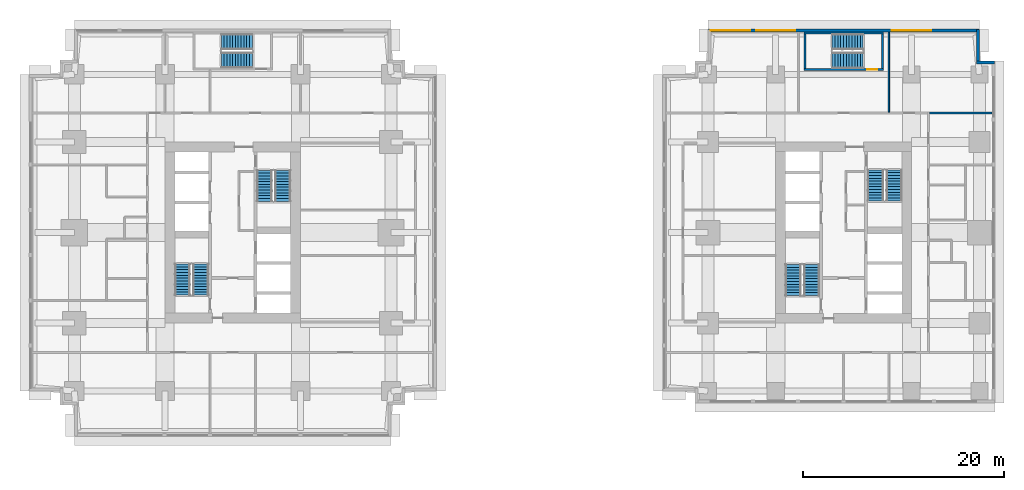
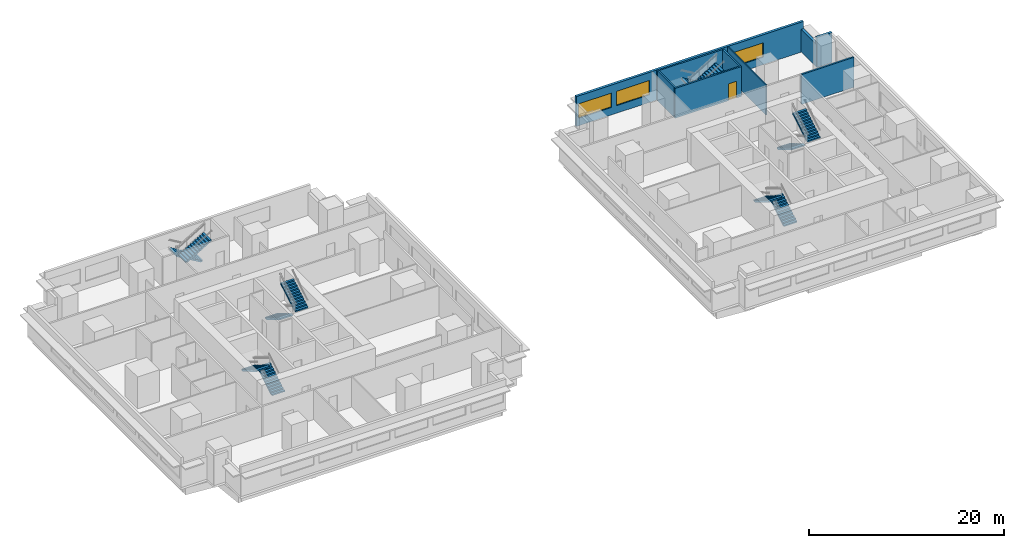
# One storey, part 8 of 11: 12 stair flights, 9 walls, 3 windows, 1 door, 4 openings, 6 elements without a shape of their own.
"""IFC4 building model written with IfcOpenShell, lengths in metres."""

from ifc_helpers import new_model, si_unit, direction, frame, frame_2d, origin, place, context, subcontext, project, spatial, polyline, rectangle, outline, extrude, material, layer, layer_set, type_object, element, fill, aggregate, save


model = new_model("IFC4")

# Units and contexts
model_context = context("Model", 3, precision=1e-05, world=origin(), true_north=direction((0.0, 1.0)))
body_context = subcontext(model_context, "Body", "Model", "MODEL_VIEW")
ifc_project = project(units=[si_unit("LENGTHUNIT", "METRE"), si_unit("AREAUNIT", "SQUARE_METRE"), si_unit("VOLUMEUNIT", "CUBIC_METRE"), si_unit("PLANEANGLEUNIT", "RADIAN"), si_unit("MASSUNIT", "GRAM", prefix="KILO")], contexts=[model_context])

# Site, building, storey
site_placement = place(None, origin())
site = spatial("IfcSite", under=ifc_project, at=site_placement, CompositionType="ELEMENT")
building_placement = place(site_placement, origin())
building = spatial("IfcBuilding", under=site, at=building_placement, Name="Namib Vertical Campus", CompositionType="ELEMENT")
storey_placement = place(building_placement, frame((0.0, 0.0, 97.0)))
storey = spatial("IfcBuildingStorey", under=building, at=storey_placement, Name="L22", CompositionType="ELEMENT", Elevation=97.0)

# Walls
ifc_material_1 = material(Name="Concrete masonry", Category="masonry")
ifc_layer_1 = layer(ifc_material_1, 0.199951171875)
ifc_layer_set_1 = layer_set([ifc_layer_1], Name="Corridor wall 200")
wall_type_1 = type_object("IfcWallType", Name="Corridor wall 200", PredefinedType="SOLIDWALL", material=ifc_layer_set_1)
wall_1_placement = place(storey_placement, frame((89.550048828125, 32.14990234375, 0.0), z_axis=(0.0, 0.0, 1.0), x_axis=(1.0, 0.0, 0.0)))
element("IfcWall", 1, at=wall_1_placement, inside=storey, type_object=wall_type_1, Name="Partition B L22 BNE", PredefinedType="SOLIDWALL", context=body_context, shape_type="SweptSolid", body=[
    extrude(rectangle(XDim=6.199951171875, YDim=0.199951171875, at=frame_2d((3.10009765625, 0.0))), origin(), (0.0, 0.0, 1.0), 3.75),
])
ifc_material_2 = material(Name="Concrete C40/50", Category="concrete")
ifc_layer_2 = layer(ifc_material_2, 0.300048828125)
ifc_layer_set_2 = layer_set([ifc_layer_2], Name="Concrete C40/50")
wall_type_2 = type_object("IfcWallType", Name="External wall 300 board-marked concrete", PredefinedType="STANDARD", material=ifc_layer_set_2)
wall_2_placement = place(storey_placement, frame((96.030029296875, 37.14990234375, 0.0), z_axis=(0.0, 0.0, 1.0), x_axis=(-1.0, 0.0, 0.0)))
element("IfcWall", 2, at=wall_2_placement, inside=storey, type_object=wall_type_2, Name="External wall L22 F05", PredefinedType="STANDARD", context=body_context, shape_type="SweptSolid", body=[
    extrude(rectangle(XDim=1.81005859375, YDim=0.300048828125, at=frame_2d((0.905029296875, 0.0))), origin(), (0.0, 0.0, 1.0), 3.75),
])
wall_3_placement = place(storey_placement, frame((94.35009765625, 37.02001953125, 0.0), z_axis=(0.0, 0.0, 1.0), x_axis=(0.0, 1.0, 0.0)))
element("IfcWall", 3, at=wall_3_placement, inside=storey, type_object=wall_type_2, Name="External wall L22 F06", PredefinedType="STANDARD", context=body_context, shape_type="SweptSolid", body=[
    extrude(rectangle(XDim=3.4599609375, YDim=0.300048828125, at=frame_2d((1.72998046875, 0.0))), origin(), (0.0, 0.0, 1.0), 2.85009765625),
])

# Wall, openings, windows
wall_4_placement = place(storey_placement, frame((94.47998046875, 40.35009765625, 0.0), z_axis=(0.0, 0.0, 1.0), x_axis=(-1.0, 0.0, 0.0)))
wall_4 = element("IfcWall", 4, at=wall_4_placement, inside=storey, type_object=wall_type_2, Name="External wall L22 F07", PredefinedType="STANDARD", context=body_context, shape_type="SweptSolid", body=[
    extrude(rectangle(XDim=26.9599609375, YDim=0.300048828125, at=frame_2d((13.47998046875, 0.0))), origin(), (0.0, 0.0, 1.0), 3.75),
])
opening_1_placement = place(wall_4_placement, frame((22.780029296875, 0.0, 0.949951171875)))
opening_1 = element("IfcOpeningElement", 5, at=opening_1_placement, cuts=wall_4, Name="Opening W3", PredefinedType="OPENING", context=body_context, shape_type="SweptSolid", body=[
    extrude(rectangle(XDim=3.89990234375, YDim=1.800048828125, at=frame_2d((1.949951171875, 0.89990234375))), frame((0.0, 0.159912109375, 0.0), z_axis=(0.0, -1.0, 0.0), x_axis=(1.0, 0.0, 0.0)), (0.0, 0.0, 1.0), 0.320068359375),
])
opening_2_placement = place(wall_4_placement, frame((18.280029296875, 0.0, 0.949951171875)))
opening_2 = element("IfcOpeningElement", 6, at=opening_2_placement, cuts=wall_4, Name="Opening W3", PredefinedType="OPENING", context=body_context, shape_type="SweptSolid", body=[
    extrude(rectangle(XDim=3.89990234375, YDim=1.800048828125, at=frame_2d((1.949951171875, 0.89990234375))), frame((0.0, 0.159912109375, 0.0), z_axis=(0.0, -1.0, 0.0), x_axis=(1.0, 0.0, 0.0)), (0.0, 0.0, 1.0), 0.320068359375),
])
opening_3_placement = place(wall_4_placement, frame((4.780029296875, 0.0, 0.949951171875)))
opening_3 = element("IfcOpeningElement", 7, at=opening_3_placement, cuts=wall_4, Name="Opening W3", PredefinedType="OPENING", context=body_context, shape_type="SweptSolid", body=[
    extrude(rectangle(XDim=3.89990234375, YDim=1.800048828125, at=frame_2d((1.949951171875, 0.89990234375))), frame((0.0, 0.159912109375, 0.0), z_axis=(0.0, -1.0, 0.0), x_axis=(1.0, 0.0, 0.0)), (0.0, 0.0, 1.0), 0.320068359375),
])
ifc_material_3 = material(Name="Dark tinted glass in black aluminium frame", Category="aluminium")
window_type = type_object("IfcWindowType", Name="Ribbon window 3900x1800", PartitioningType="SINGLE_PANEL", PredefinedType="WINDOW", material=ifc_material_3)
window_1_placement = place(opening_1_placement, origin())
window_1 = element("IfcWindow", 8, at=window_1_placement, inside=storey, type_object=window_type, Name="Window W3 L22 F07-1", OverallHeight=1.800048828125, OverallWidth=3.89990234375, PartitioningType="SINGLE_PANEL", PredefinedType="WINDOW", context=body_context, shape_type="SweptSolid", body=[
    extrude(rectangle(XDim=3.89990234375, YDim=1.800048828125, at=frame_2d((1.949951171875, 0.89990234375))), frame((0.0, 0.030029296875, 0.0), z_axis=(0.0, -1.0, 0.0), x_axis=(1.0, 0.0, 0.0)), (0.0, 0.0, 1.0), 0.06005859375),
])
fill(opening_1, window_1)
window_2_placement = place(opening_2_placement, origin())
window_2 = element("IfcWindow", 9, at=window_2_placement, inside=storey, type_object=window_type, Name="Window W3 L22 F07-2", OverallHeight=1.800048828125, OverallWidth=3.89990234375, PartitioningType="SINGLE_PANEL", PredefinedType="WINDOW", context=body_context, shape_type="SweptSolid", body=[
    extrude(rectangle(XDim=3.89990234375, YDim=1.800048828125, at=frame_2d((1.949951171875, 0.89990234375))), frame((0.0, 0.030029296875, 0.0), z_axis=(0.0, -1.0, 0.0), x_axis=(1.0, 0.0, 0.0)), (0.0, 0.0, 1.0), 0.06005859375),
])
fill(opening_2, window_2)
window_3_placement = place(opening_3_placement, origin())
window_3 = element("IfcWindow", 10, at=window_3_placement, inside=storey, type_object=window_type, Name="Window W3 L22 F07-5", OverallHeight=1.800048828125, OverallWidth=3.89990234375, PartitioningType="SINGLE_PANEL", PredefinedType="WINDOW", context=body_context, shape_type="SweptSolid", body=[
    extrude(rectangle(XDim=3.89990234375, YDim=1.800048828125, at=frame_2d((1.949951171875, 0.89990234375))), frame((0.0, 0.030029296875, 0.0), z_axis=(0.0, -1.0, 0.0), x_axis=(1.0, 0.0, 0.0)), (0.0, 0.0, 1.0), 0.06005859375),
])
fill(opening_3, window_3)

# Wall
ifc_material_4 = material(Name="Gypsum board on steel studs", Category="steel")
ifc_layer_3 = layer(ifc_material_4, 0.14990234375)
ifc_layer_set_3 = layer_set([ifc_layer_3], Name="Gypsum board on steel studs")
wall_type_3 = type_object("IfcWallType", Name="Partition 150", PredefinedType="PARTITIONING", material=ifc_layer_set_3)
wall_5_placement = place(storey_placement, frame((85.5, 32.25, 0.0), z_axis=(0.0, 0.0, 1.0), x_axis=(0.0, 1.0, 0.0)))
element("IfcWall", 11, at=wall_5_placement, inside=storey, type_object=wall_type_3, Name="Partition B L22 PN2", PredefinedType="PARTITIONING", context=body_context, shape_type="SweptSolid", body=[
    extrude(rectangle(XDim=7.949951171875, YDim=0.14990234375, at=frame_2d((3.97509765625, 0.0))), origin(), (0.0, 0.0, 1.0), 3.75),
])

# Wall, opening, door
ifc_material_5 = material(Name="Concrete C40/50", Category="concrete")
ifc_layer_4 = layer(ifc_material_5, 0.199951171875)
ifc_layer_set_4 = layer_set([ifc_layer_4], Name="Concrete C40/50")
wall_type_4 = type_object("IfcWallType", Name="Stair enclosure wall RC 200", PredefinedType="SOLIDWALL", material=ifc_layer_set_4)
wall_6_placement = place(storey_placement, frame((77.050048828125, 36.5, 0.0), z_axis=(0.0, 0.0, 1.0), x_axis=(1.0, 0.0, 0.0)))
wall_6 = element("IfcWall", 12, at=wall_6_placement, inside=storey, type_object=wall_type_4, Name="Stair enclosure wall B-S3 L22 S", PredefinedType="SOLIDWALL", context=body_context, shape_type="SweptSolid", body=[
    extrude(rectangle(XDim=7.89990234375, YDim=0.199951171875, at=frame_2d((3.949951171875, 0.0))), origin(), (0.0, 0.0, 1.0), 3.75),
])
opening_4_placement = place(wall_6_placement, frame((6.300048828125, 0.0, 0.0)))
opening_4 = element("IfcOpeningElement", 13, at=opening_4_placement, cuts=wall_6, Name="Opening FD1", PredefinedType="OPENING", context=body_context, shape_type="SweptSolid", body=[
    extrude(rectangle(XDim=1.0, YDim=2.10009765625, at=frame_2d((0.5, 1.050048828125))), frame((0.0, 0.10986328125, 0.0), z_axis=(0.0, -1.0, 0.0), x_axis=(1.0, 0.0, 0.0)), (0.0, 0.0, 1.0), 0.219970703125),
])
ifc_material_6 = material(Name="Steel fire door", Category="steel")
door_type = type_object("IfcDoorType", Name="Fire door 1000x2100", OperationType="SINGLE_SWING_RIGHT", PredefinedType="DOOR", material=ifc_material_6)
door_placement = place(opening_4_placement, origin())
door = element("IfcDoor", 14, at=door_placement, inside=storey, type_object=door_type, Name="Stair door FD1 B L22 S3", OperationType="SINGLE_SWING_RIGHT", OverallHeight=2.10009765625, OverallWidth=1.0, PredefinedType="DOOR", context=body_context, shape_type="SweptSolid", body=[
    extrude(rectangle(XDim=1.0, YDim=2.10009765625, at=frame_2d((0.5, 1.050048828125))), frame((0.0, 0.02490234375, 0.0), z_axis=(0.0, -1.0, 0.0), x_axis=(1.0, 0.0, 0.0)), (0.0, 0.0, 1.0), 0.050048828125),
])
fill(opening_4, door)

# Walls
wall_7_placement = place(storey_placement, frame((77.050048828125, 40.10009765625, 0.0), z_axis=(0.0, 0.0, 1.0), x_axis=(1.0, 0.0, 0.0)))
element("IfcWall", 15, at=wall_7_placement, inside=storey, type_object=wall_type_4, Name="Stair enclosure wall B-S3 L22 N", PredefinedType="SOLIDWALL", context=body_context, shape_type="SweptSolid", body=[
    extrude(rectangle(XDim=7.89990234375, YDim=0.199951171875, at=frame_2d((3.949951171875, 0.0))), origin(), (0.0, 0.0, 1.0), 3.75),
])
for number, where, z_axis, x_axis, name in (
    (16, (77.14990234375, 36.60009765625, 0.0), (0.0, 0.0, 1.0), (0.0, 1.0, 0.0), "Stair enclosure wall B-S3 L22 W"),
    (17, (84.85009765625, 36.60009765625, 0.0), (0.0, 0.0, 1.0), (0.0, 1.0, 0.0), "Stair enclosure wall B-S3 L22 E"),
):
    element("IfcWall", number, at=place(storey_placement, frame(where, z_axis=z_axis, x_axis=x_axis)), inside=storey, type_object=wall_type_4, Name=name, PredefinedType="SOLIDWALL", context=body_context, shape_type="SweptSolid", body=[
        extrude(rectangle(XDim=3.39990234375, YDim=0.199951171875, at=frame_2d((1.699951171875, 0.0))), origin(), (0.0, 0.0, 1.0), 3.75),
    ])

# Stair, stair flights
ifc_material_7 = material(Name="Concrete C40/50 precast", Category="concrete")
stair_type_1 = type_object("IfcStairType", Name="Exit stair 4000 rise 24 risers 3350 wide", PredefinedType="HALF_TURN_STAIR", material=ifc_material_7)
stair_1_placement = place(storey_placement, origin())
stair_1 = element("IfcStair", 18, at=stair_1_placement, inside=storey, type_object=stair_type_1, Name="Exit stair A-S1 L22", PredefinedType="HALF_TURN_STAIR")
ifc_material_8 = material(Name="Concrete C40/50 precast", Category="concrete")
stair_flight_type_1 = type_object("IfcStairFlightType", Name="Stair flight 12 risers 167 1525 wide", PredefinedType="STRAIGHT", material=ifc_material_8)
stair_flight_1_placement = place(storey_placement, frame((17.08740234375, 14.050048828125, 0.0), z_axis=(0.0, 0.0, 1.0), x_axis=(0.0, 1.0, 0.0)))
stair_flight_1 = element("IfcStairFlight", 19, at=stair_flight_1_placement, type_object=stair_flight_type_1, Name="A-S1 flight 1", NumberOfRisers=12, NumberOfTreads=11, PredefinedType="STRAIGHT", RiserHeight=0.166666667, TreadLength=0.28, context=body_context, shape_type="SweptSolid", body=[
    extrude(outline(polyline([(0.0, 0.0), (0.0, 0.166748046875), (0.280029296875, 0.166748046875), (0.280029296875, 0.333251953125), (0.56005859375, 0.333251953125), (0.56005859375, 0.5), (0.840087890625, 0.5), (0.840087890625, 0.666748046875), (1.1201171875, 0.666748046875), (1.1201171875, 0.833251953125), (1.39990234375, 0.833251953125), (1.39990234375, 1.0), (1.679931640625, 1.0), (1.679931640625, 1.166748046875), (1.9599609375, 1.166748046875), (1.9599609375, 1.333251953125), (2.239990234375, 1.333251953125), (2.239990234375, 1.5), (2.52001953125, 1.5), (2.52001953125, 1.666748046875), (2.800048828125, 1.666748046875), (2.800048828125, 1.833251953125), (3.080078125, 1.833251953125), (3.080078125, 2.0), (3.080078125, 1.658935546875), (0.29296875, 0.0), (0.0, 0.0)])), frame((0.0, 0.762451171875, 0.0), z_axis=(0.0, -1.0, 0.0), x_axis=(1.0, 0.0, 0.0)), (0.0, 0.0, 1.0), 1.52490234375),
])
stair_flight_2_placement = place(storey_placement, frame((15.262451171875, 17.1298828125, 2.0), z_axis=(0.0, 0.0, 1.0), x_axis=(0.0, -1.0, 0.0)))
stair_flight_2 = element("IfcStairFlight", 20, at=stair_flight_2_placement, type_object=stair_flight_type_1, Name="A-S1 flight 2", NumberOfRisers=12, NumberOfTreads=11, PredefinedType="STRAIGHT", RiserHeight=0.166666667, TreadLength=0.28, context=body_context, shape_type="SweptSolid", body=[
    extrude(outline(polyline([(0.0, 0.0), (0.0, 0.166748046875), (0.280029296875, 0.166748046875), (0.280029296875, 0.333251953125), (0.56005859375, 0.333251953125), (0.56005859375, 0.5), (0.840087890625, 0.5), (0.840087890625, 0.666748046875), (1.1201171875, 0.666748046875), (1.1201171875, 0.833251953125), (1.39990234375, 0.833251953125), (1.39990234375, 1.0), (1.679931640625, 1.0), (1.679931640625, 1.166748046875), (1.9599609375, 1.166748046875), (1.9599609375, 1.333251953125), (2.239990234375, 1.333251953125), (2.239990234375, 1.5), (2.52001953125, 1.5), (2.52001953125, 1.666748046875), (2.800048828125, 1.666748046875), (2.800048828125, 1.833251953125), (3.080078125, 1.833251953125), (3.080078125, 2.0), (3.080078125, 1.658935546875), (0.29296875, 0.0), (0.0, 0.0)])), frame((0.0, 0.762451171875, 0.0), z_axis=(0.0, -1.0, 0.0), x_axis=(1.0, 0.0, 0.0)), (0.0, 0.0, 1.0), 1.52490234375),
])
aggregate(stair_1, [stair_flight_1, stair_flight_2])

stair_2_placement = place(storey_placement, origin())
stair_2 = element("IfcStair", 21, at=stair_2_placement, inside=storey, type_object=stair_type_1, Name="Exit stair A-S2 L22", PredefinedType="HALF_TURN_STAIR")
stair_flight_3_placement = place(storey_placement, frame((23.41259765625, 26.449951171875, 0.0), z_axis=(0.0, 0.0, 1.0), x_axis=(0.0, -1.0, 0.0)))
stair_flight_3 = element("IfcStairFlight", 22, at=stair_flight_3_placement, type_object=stair_flight_type_1, Name="A-S2 flight 1", NumberOfRisers=12, NumberOfTreads=11, PredefinedType="STRAIGHT", RiserHeight=0.166666667, TreadLength=0.28, context=body_context, shape_type="SweptSolid", body=[
    extrude(outline(polyline([(0.0, 0.0), (0.0, 0.166748046875), (0.280029296875, 0.166748046875), (0.280029296875, 0.333251953125), (0.56005859375, 0.333251953125), (0.56005859375, 0.5), (0.840087890625, 0.5), (0.840087890625, 0.666748046875), (1.1201171875, 0.666748046875), (1.1201171875, 0.833251953125), (1.39990234375, 0.833251953125), (1.39990234375, 1.0), (1.679931640625, 1.0), (1.679931640625, 1.166748046875), (1.9599609375, 1.166748046875), (1.9599609375, 1.333251953125), (2.239990234375, 1.333251953125), (2.239990234375, 1.5), (2.52001953125, 1.5), (2.52001953125, 1.666748046875), (2.800048828125, 1.666748046875), (2.800048828125, 1.833251953125), (3.080078125, 1.833251953125), (3.080078125, 2.0), (3.080078125, 1.658935546875), (0.29296875, 0.0), (0.0, 0.0)])), frame((0.0, 0.762451171875, 0.0), z_axis=(0.0, -1.0, 0.0), x_axis=(1.0, 0.0, 0.0)), (0.0, 0.0, 1.0), 1.52490234375),
])
stair_flight_4_placement = place(storey_placement, frame((25.237548828125, 23.3701171875, 2.0), z_axis=(0.0, 0.0, 1.0), x_axis=(0.0, 1.0, 0.0)))
stair_flight_4 = element("IfcStairFlight", 23, at=stair_flight_4_placement, type_object=stair_flight_type_1, Name="A-S2 flight 2", NumberOfRisers=12, NumberOfTreads=11, PredefinedType="STRAIGHT", RiserHeight=0.166666667, TreadLength=0.28, context=body_context, shape_type="SweptSolid", body=[
    extrude(outline(polyline([(0.0, 0.0), (0.0, 0.166748046875), (0.280029296875, 0.166748046875), (0.280029296875, 0.333251953125), (0.56005859375, 0.333251953125), (0.56005859375, 0.5), (0.840087890625, 0.5), (0.840087890625, 0.666748046875), (1.1201171875, 0.666748046875), (1.1201171875, 0.833251953125), (1.39990234375, 0.833251953125), (1.39990234375, 1.0), (1.679931640625, 1.0), (1.679931640625, 1.166748046875), (1.9599609375, 1.166748046875), (1.9599609375, 1.333251953125), (2.239990234375, 1.333251953125), (2.239990234375, 1.5), (2.52001953125, 1.5), (2.52001953125, 1.666748046875), (2.800048828125, 1.666748046875), (2.800048828125, 1.833251953125), (3.080078125, 1.833251953125), (3.080078125, 2.0), (3.080078125, 1.658935546875), (0.29296875, 0.0), (0.0, 0.0)])), frame((0.0, 0.762451171875, 0.0), z_axis=(0.0, -1.0, 0.0), x_axis=(1.0, 0.0, 0.0)), (0.0, 0.0, 1.0), 1.52490234375),
])
aggregate(stair_2, [stair_flight_3, stair_flight_4])

stair_3_placement = place(storey_placement, origin())
stair_3 = element("IfcStair", 24, at=stair_3_placement, inside=storey, type_object=stair_type_1, Name="Exit stair A-S3 L22", PredefinedType="HALF_TURN_STAIR")
stair_flight_5_placement = place(storey_placement, frame((22.199951171875, 39.237548828125, 0.0), z_axis=(0.0, 0.0, 1.0), x_axis=(-1.0, 0.0, 0.0)))
stair_flight_5 = element("IfcStairFlight", 25, at=stair_flight_5_placement, type_object=stair_flight_type_1, Name="A-S3 flight 1", NumberOfRisers=12, NumberOfTreads=11, PredefinedType="STRAIGHT", RiserHeight=0.166666667, TreadLength=0.28, context=body_context, shape_type="SweptSolid", body=[
    extrude(outline(polyline([(0.0, 0.0), (0.0, 0.166748046875), (0.280029296875, 0.166748046875), (0.280029296875, 0.333251953125), (0.56005859375, 0.333251953125), (0.56005859375, 0.5), (0.840087890625, 0.5), (0.840087890625, 0.666748046875), (1.1201171875, 0.666748046875), (1.1201171875, 0.833251953125), (1.39990234375, 0.833251953125), (1.39990234375, 1.0), (1.679931640625, 1.0), (1.679931640625, 1.166748046875), (1.9599609375, 1.166748046875), (1.9599609375, 1.333251953125), (2.239990234375, 1.333251953125), (2.239990234375, 1.5), (2.52001953125, 1.5), (2.52001953125, 1.666748046875), (2.800048828125, 1.666748046875), (2.800048828125, 1.833251953125), (3.080078125, 1.833251953125), (3.080078125, 2.0), (3.080078125, 1.658935546875), (0.29296875, 0.0), (0.0, 0.0)])), frame((0.0, 0.762451171875, 0.0), z_axis=(0.0, -1.0, 0.0), x_axis=(1.0, 0.0, 0.0)), (0.0, 0.0, 1.0), 1.52490234375),
])
stair_flight_6_placement = place(storey_placement, frame((19.1201171875, 37.41259765625, 2.0), z_axis=(0.0, 0.0, 1.0), x_axis=(1.0, 0.0, 0.0)))
stair_flight_6 = element("IfcStairFlight", 26, at=stair_flight_6_placement, type_object=stair_flight_type_1, Name="A-S3 flight 2", NumberOfRisers=12, NumberOfTreads=11, PredefinedType="STRAIGHT", RiserHeight=0.166666667, TreadLength=0.28, context=body_context, shape_type="SweptSolid", body=[
    extrude(outline(polyline([(0.0, 0.0), (0.0, 0.166748046875), (0.280029296875, 0.166748046875), (0.280029296875, 0.333251953125), (0.56005859375, 0.333251953125), (0.56005859375, 0.5), (0.840087890625, 0.5), (0.840087890625, 0.666748046875), (1.1201171875, 0.666748046875), (1.1201171875, 0.833251953125), (1.39990234375, 0.833251953125), (1.39990234375, 1.0), (1.679931640625, 1.0), (1.679931640625, 1.166748046875), (1.9599609375, 1.166748046875), (1.9599609375, 1.333251953125), (2.239990234375, 1.333251953125), (2.239990234375, 1.5), (2.52001953125, 1.5), (2.52001953125, 1.666748046875), (2.800048828125, 1.666748046875), (2.800048828125, 1.833251953125), (3.080078125, 1.833251953125), (3.080078125, 2.0), (3.080078125, 1.658935546875), (0.29296875, 0.0), (0.0, 0.0)])), frame((0.0, 0.762451171875, 0.0), z_axis=(0.0, -1.0, 0.0), x_axis=(1.0, 0.0, 0.0)), (0.0, 0.0, 1.0), 1.52490234375),
])
aggregate(stair_3, [stair_flight_5, stair_flight_6])

ifc_material_9 = material(Name="Concrete C40/50 precast", Category="concrete")
stair_type_2 = type_object("IfcStairType", Name="Exit stair 4000 rise 24 risers 3400 wide", PredefinedType="HALF_TURN_STAIR", material=ifc_material_9)
stair_4_placement = place(storey_placement, origin())
stair_4 = element("IfcStair", 27, at=stair_4_placement, inside=storey, type_object=stair_type_2, Name="Exit stair B-S1 L22", PredefinedType="HALF_TURN_STAIR")
ifc_material_10 = material(Name="Concrete C40/50 precast", Category="concrete")
stair_flight_type_2 = type_object("IfcStairFlightType", Name="Stair flight 12 risers 167 1550 wide", PredefinedType="STRAIGHT", material=ifc_material_10)
stair_flight_7_placement = place(storey_placement, frame((77.824951171875, 14.0, 0.0), z_axis=(0.0, 0.0, 1.0), x_axis=(0.0, 1.0, 0.0)))
stair_flight_7 = element("IfcStairFlight", 28, at=stair_flight_7_placement, type_object=stair_flight_type_2, Name="B-S1 flight 1", NumberOfRisers=12, NumberOfTreads=11, PredefinedType="STRAIGHT", RiserHeight=0.166666667, TreadLength=0.28, context=body_context, shape_type="SweptSolid", body=[
    extrude(outline(polyline([(0.0, 0.0), (0.0, 0.166748046875), (0.280029296875, 0.166748046875), (0.280029296875, 0.333251953125), (0.56005859375, 0.333251953125), (0.56005859375, 0.5), (0.840087890625, 0.5), (0.840087890625, 0.666748046875), (1.1201171875, 0.666748046875), (1.1201171875, 0.833251953125), (1.39990234375, 0.833251953125), (1.39990234375, 1.0), (1.679931640625, 1.0), (1.679931640625, 1.166748046875), (1.9599609375, 1.166748046875), (1.9599609375, 1.333251953125), (2.239990234375, 1.333251953125), (2.239990234375, 1.5), (2.52001953125, 1.5), (2.52001953125, 1.666748046875), (2.800048828125, 1.666748046875), (2.800048828125, 1.833251953125), (3.080078125, 1.833251953125), (3.080078125, 2.0), (3.080078125, 1.658935546875), (0.29296875, 0.0), (0.0, 0.0)])), frame((0.0, 0.77490234375, 0.0), z_axis=(0.0, -1.0, 0.0), x_axis=(1.0, 0.0, 0.0)), (0.0, 0.0, 1.0), 1.550048828125),
])
stair_flight_8_placement = place(storey_placement, frame((75.97509765625, 17.080078125, 2.0), z_axis=(0.0, 0.0, 1.0), x_axis=(0.0, -1.0, 0.0)))
stair_flight_8 = element("IfcStairFlight", 29, at=stair_flight_8_placement, type_object=stair_flight_type_2, Name="B-S1 flight 2", NumberOfRisers=12, NumberOfTreads=11, PredefinedType="STRAIGHT", RiserHeight=0.166666667, TreadLength=0.28, context=body_context, shape_type="SweptSolid", body=[
    extrude(outline(polyline([(0.0, 0.0), (0.0, 0.166748046875), (0.280029296875, 0.166748046875), (0.280029296875, 0.333251953125), (0.56005859375, 0.333251953125), (0.56005859375, 0.5), (0.840087890625, 0.5), (0.840087890625, 0.666748046875), (1.1201171875, 0.666748046875), (1.1201171875, 0.833251953125), (1.39990234375, 0.833251953125), (1.39990234375, 1.0), (1.679931640625, 1.0), (1.679931640625, 1.166748046875), (1.9599609375, 1.166748046875), (1.9599609375, 1.333251953125), (2.239990234375, 1.333251953125), (2.239990234375, 1.5), (2.52001953125, 1.5), (2.52001953125, 1.666748046875), (2.800048828125, 1.666748046875), (2.800048828125, 1.833251953125), (3.080078125, 1.833251953125), (3.080078125, 2.0), (3.080078125, 1.658935546875), (0.29296875, 0.0), (0.0, 0.0)])), frame((0.0, 0.77490234375, 0.0), z_axis=(0.0, -1.0, 0.0), x_axis=(1.0, 0.0, 0.0)), (0.0, 0.0, 1.0), 1.550048828125),
])
aggregate(stair_4, [stair_flight_7, stair_flight_8])

stair_5_placement = place(storey_placement, origin())
stair_5 = element("IfcStair", 30, at=stair_5_placement, inside=storey, type_object=stair_type_2, Name="Exit stair B-S2 L22", PredefinedType="HALF_TURN_STAIR")
stair_flight_9_placement = place(storey_placement, frame((84.175048828125, 26.5, 0.0), z_axis=(0.0, 0.0, 1.0), x_axis=(0.0, -1.0, 0.0)))
stair_flight_9 = element("IfcStairFlight", 31, at=stair_flight_9_placement, type_object=stair_flight_type_2, Name="B-S2 flight 1", NumberOfRisers=12, NumberOfTreads=11, PredefinedType="STRAIGHT", RiserHeight=0.166666667, TreadLength=0.28, context=body_context, shape_type="SweptSolid", body=[
    extrude(outline(polyline([(0.0, 0.0), (0.0, 0.166748046875), (0.280029296875, 0.166748046875), (0.280029296875, 0.333251953125), (0.56005859375, 0.333251953125), (0.56005859375, 0.5), (0.840087890625, 0.5), (0.840087890625, 0.666748046875), (1.1201171875, 0.666748046875), (1.1201171875, 0.833251953125), (1.39990234375, 0.833251953125), (1.39990234375, 1.0), (1.679931640625, 1.0), (1.679931640625, 1.166748046875), (1.9599609375, 1.166748046875), (1.9599609375, 1.333251953125), (2.239990234375, 1.333251953125), (2.239990234375, 1.5), (2.52001953125, 1.5), (2.52001953125, 1.666748046875), (2.800048828125, 1.666748046875), (2.800048828125, 1.833251953125), (3.080078125, 1.833251953125), (3.080078125, 2.0), (3.080078125, 1.658935546875), (0.29296875, 0.0), (0.0, 0.0)])), frame((0.0, 0.77490234375, 0.0), z_axis=(0.0, -1.0, 0.0), x_axis=(1.0, 0.0, 0.0)), (0.0, 0.0, 1.0), 1.550048828125),
])
stair_flight_10_placement = place(storey_placement, frame((86.02490234375, 23.419921875, 2.0), z_axis=(0.0, 0.0, 1.0), x_axis=(0.0, 1.0, 0.0)))
stair_flight_10 = element("IfcStairFlight", 32, at=stair_flight_10_placement, type_object=stair_flight_type_2, Name="B-S2 flight 2", NumberOfRisers=12, NumberOfTreads=11, PredefinedType="STRAIGHT", RiserHeight=0.166666667, TreadLength=0.28, context=body_context, shape_type="SweptSolid", body=[
    extrude(outline(polyline([(0.0, 0.0), (0.0, 0.166748046875), (0.280029296875, 0.166748046875), (0.280029296875, 0.333251953125), (0.56005859375, 0.333251953125), (0.56005859375, 0.5), (0.840087890625, 0.5), (0.840087890625, 0.666748046875), (1.1201171875, 0.666748046875), (1.1201171875, 0.833251953125), (1.39990234375, 0.833251953125), (1.39990234375, 1.0), (1.679931640625, 1.0), (1.679931640625, 1.166748046875), (1.9599609375, 1.166748046875), (1.9599609375, 1.333251953125), (2.239990234375, 1.333251953125), (2.239990234375, 1.5), (2.52001953125, 1.5), (2.52001953125, 1.666748046875), (2.800048828125, 1.666748046875), (2.800048828125, 1.833251953125), (3.080078125, 1.833251953125), (3.080078125, 2.0), (3.080078125, 1.658935546875), (0.29296875, 0.0), (0.0, 0.0)])), frame((0.0, 0.77490234375, 0.0), z_axis=(0.0, -1.0, 0.0), x_axis=(1.0, 0.0, 0.0)), (0.0, 0.0, 1.0), 1.550048828125),
])
aggregate(stair_5, [stair_flight_9, stair_flight_10])

stair_6_placement = place(storey_placement, origin())
stair_6 = element("IfcStair", 33, at=stair_6_placement, inside=storey, type_object=stair_type_2, Name="Exit stair B-S3 L22", PredefinedType="HALF_TURN_STAIR")
stair_flight_11_placement = place(storey_placement, frame((82.949951171875, 39.22509765625, 0.0), z_axis=(0.0, 0.0, 1.0), x_axis=(-1.0, 0.0, 0.0)))
stair_flight_11 = element("IfcStairFlight", 34, at=stair_flight_11_placement, type_object=stair_flight_type_2, Name="B-S3 flight 1", NumberOfRisers=12, NumberOfTreads=11, PredefinedType="STRAIGHT", RiserHeight=0.166666667, TreadLength=0.28, context=body_context, shape_type="SweptSolid", body=[
    extrude(outline(polyline([(0.0, 0.0), (0.0, 0.166748046875), (0.280029296875, 0.166748046875), (0.280029296875, 0.333251953125), (0.56005859375, 0.333251953125), (0.56005859375, 0.5), (0.840087890625, 0.5), (0.840087890625, 0.666748046875), (1.1201171875, 0.666748046875), (1.1201171875, 0.833251953125), (1.39990234375, 0.833251953125), (1.39990234375, 1.0), (1.679931640625, 1.0), (1.679931640625, 1.166748046875), (1.9599609375, 1.166748046875), (1.9599609375, 1.333251953125), (2.239990234375, 1.333251953125), (2.239990234375, 1.5), (2.52001953125, 1.5), (2.52001953125, 1.666748046875), (2.800048828125, 1.666748046875), (2.800048828125, 1.833251953125), (3.080078125, 1.833251953125), (3.080078125, 2.0), (3.080078125, 1.658935546875), (0.29296875, 0.0), (0.0, 0.0)])), frame((0.0, 0.77490234375, 0.0), z_axis=(0.0, -1.0, 0.0), x_axis=(1.0, 0.0, 0.0)), (0.0, 0.0, 1.0), 1.550048828125),
])
stair_flight_12_placement = place(storey_placement, frame((79.8701171875, 37.375, 2.0), z_axis=(0.0, 0.0, 1.0), x_axis=(1.0, 0.0, 0.0)))
stair_flight_12 = element("IfcStairFlight", 35, at=stair_flight_12_placement, type_object=stair_flight_type_2, Name="B-S3 flight 2", NumberOfRisers=12, NumberOfTreads=11, PredefinedType="STRAIGHT", RiserHeight=0.166666667, TreadLength=0.28, context=body_context, shape_type="SweptSolid", body=[
    extrude(outline(polyline([(0.0, 0.0), (0.0, 0.166748046875), (0.280029296875, 0.166748046875), (0.280029296875, 0.333251953125), (0.56005859375, 0.333251953125), (0.56005859375, 0.5), (0.840087890625, 0.5), (0.840087890625, 0.666748046875), (1.1201171875, 0.666748046875), (1.1201171875, 0.833251953125), (1.39990234375, 0.833251953125), (1.39990234375, 1.0), (1.679931640625, 1.0), (1.679931640625, 1.166748046875), (1.9599609375, 1.166748046875), (1.9599609375, 1.333251953125), (2.239990234375, 1.333251953125), (2.239990234375, 1.5), (2.52001953125, 1.5), (2.52001953125, 1.666748046875), (2.800048828125, 1.666748046875), (2.800048828125, 1.833251953125), (3.080078125, 1.833251953125), (3.080078125, 2.0), (3.080078125, 1.658935546875), (0.29296875, 0.0), (0.0, 0.0)])), frame((0.0, 0.77490234375, 0.0), z_axis=(0.0, -1.0, 0.0), x_axis=(1.0, 0.0, 0.0)), (0.0, 0.0, 1.0), 1.550048828125),
])
aggregate(stair_6, [stair_flight_11, stair_flight_12])

save(model, "model.ifc")
